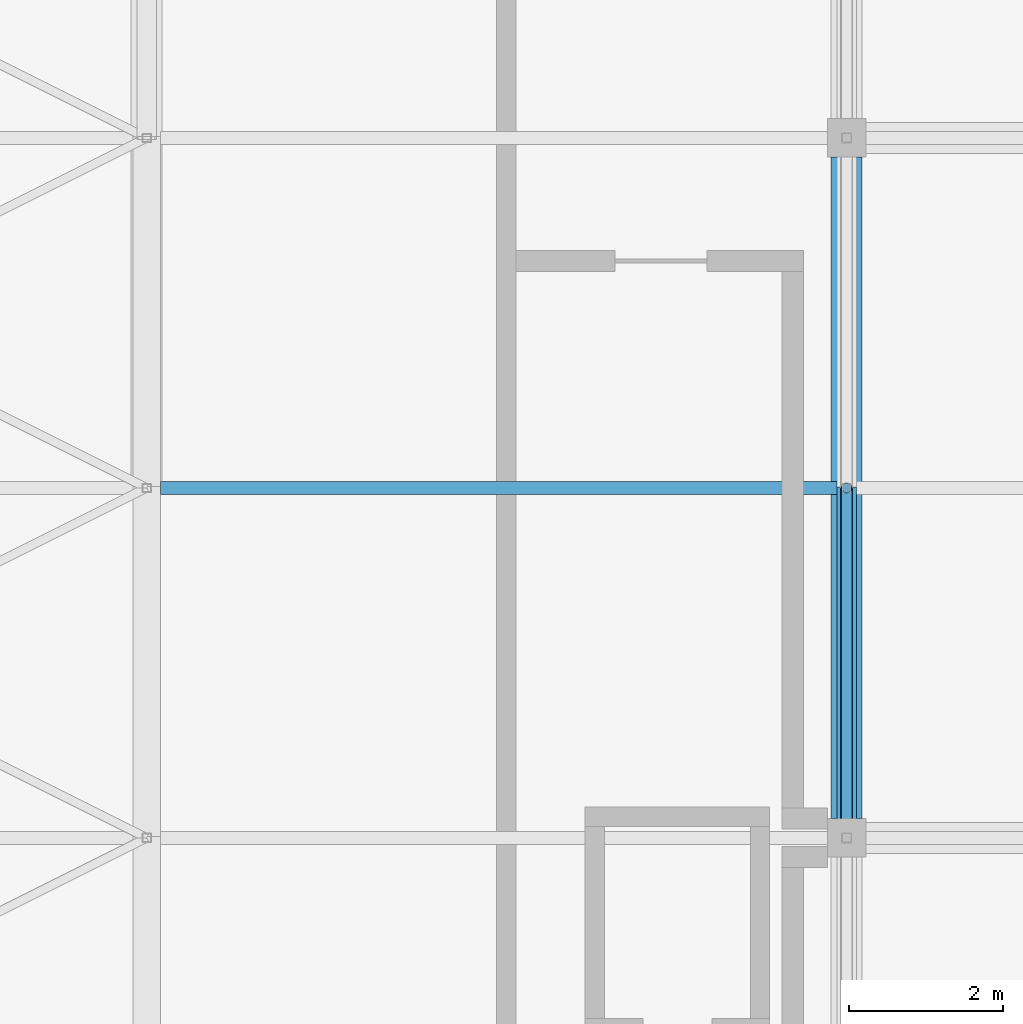
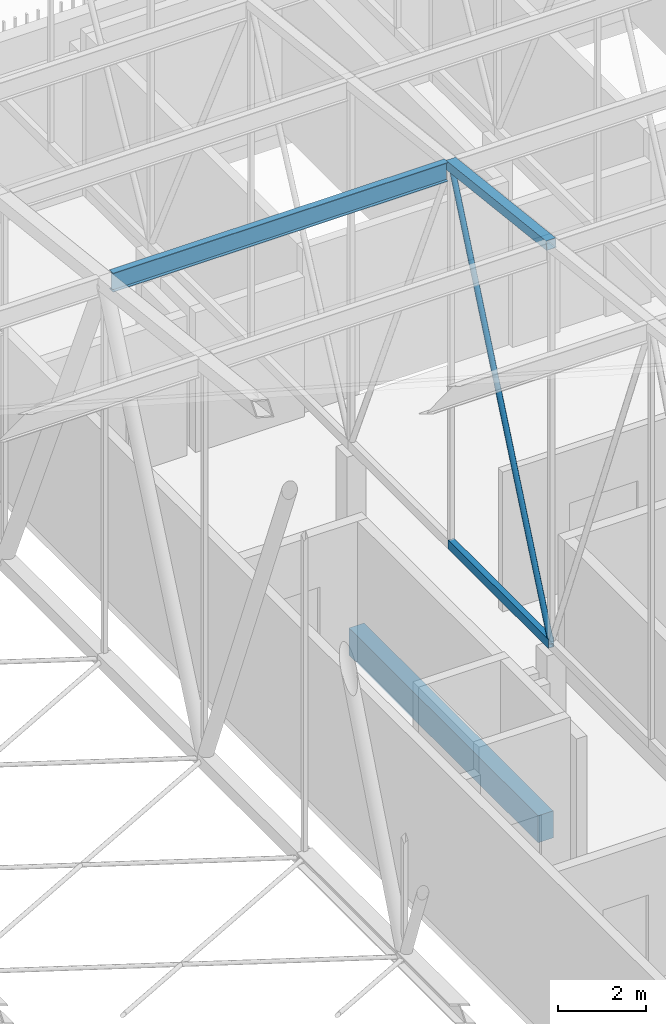
# One storey, part 290 of 500: 4 members, 1 beam.
"""IFC4 building model written with IfcOpenShell, lengths in metres."""

from ifc_helpers import new_model, si_unit, direction, frame, origin, origin_2d, place, context, subcontext, project, spatial, rectangle, hollow_rectangle, hollow_circle, i_section, extrude, material, material_profile, profile_set, type_object, element, save


model = new_model("IFC4")

# Units and contexts
model_context = context("Model", 3, precision=1e-05, world=origin(), true_north=direction((0.0, 1.0)))
body_context = subcontext(model_context, "Body", "Model", "MODEL_VIEW")
ifc_project = project(units=[si_unit("LENGTHUNIT", "METRE"), si_unit("AREAUNIT", "SQUARE_METRE"), si_unit("VOLUMEUNIT", "CUBIC_METRE"), si_unit("PLANEANGLEUNIT", "RADIAN"), si_unit("MASSUNIT", "GRAM", prefix="KILO")], contexts=[model_context])

# Site, building, storey
site_placement = place(None, origin())
site = spatial("IfcSite", under=ifc_project, at=site_placement, CompositionType="ELEMENT")
building_placement = place(site_placement, origin())
building = spatial("IfcBuilding", under=site, at=building_placement, Name="Shirokan Park Arena", CompositionType="ELEMENT")
storey_placement = place(building_placement, frame((0.0, 0.0, 29.1201171875)))
storey = spatial("IfcBuildingStorey", under=building, at=storey_placement, Name="L06", CompositionType="ELEMENT", Elevation=29.1201171875)

# Members
ifc_material_1 = material(Name="Steel ASTM A500 Grade C", Category="steel")
ifc_material_profile_1 = material_profile(ifc_material_1, hollow_rectangle(XDim=0.152099609375, YDim=0.25390625, WallThickness=0.009521484375, at=origin_2d()), Name="HSS254X152.4X9.5")
ifc_profile_set_1 = profile_set([ifc_material_profile_1], Name="Steel ASTM A500 Grade C")
member_type_1 = type_object("IfcMemberType", Name="Bottom chord HSS254X152.4X9.5", PredefinedType="CHORD", material=ifc_profile_set_1)
member_1_placement = place(storey_placement, frame((109.199951171875, 81.89990234375, 4.677001953125), z_axis=(0.0, 1.0, 0.0), x_axis=(-1.0, 0.0, 0.0)))
element("IfcMember", 1, at=member_1_placement, inside=storey, type_object=member_type_1, Name="Truss T13 bottom chord 21", PredefinedType="CHORD", context=body_context, shape_type="SweptSolid", body=[
    extrude(hollow_rectangle(XDim=0.152099609375, YDim=0.25390625, WallThickness=0.009521484375, at=origin_2d()), origin(), (0.0, 0.0, 1.0), 4.550048828125),
])
ifc_material_2 = material(Name="Steel ASTM A992", Category="steel")
ifc_material_profile_2 = material_profile(ifc_material_2, i_section(OverallWidth=0.166015625, OverallDepth=0.528076171875, WebThickness=0.009765625, FlangeThickness=0.013671875, at=origin_2d()), Name="W530X74")
ifc_profile_set_2 = profile_set([ifc_material_profile_2], Name="Steel ASTM A992")
member_type_2 = type_object("IfcMemberType", Name="Purlin W530X74", PredefinedType="PURLIN", material=ifc_profile_set_2)
member_2_placement = place(storey_placement, frame((100.278076171875, 86.449951171875, 15.0859375), z_axis=(1.0, 0.0, 0.0), x_axis=(0.0, 1.0, 0.0)))
element("IfcMember", 2, at=member_2_placement, inside=storey, type_object=member_type_2, Name="Purlin 22 bay 12", PredefinedType="PURLIN", context=body_context, shape_type="SweptSolid", body=[
    extrude(i_section(OverallWidth=0.166015625, OverallDepth=0.528076171875, WebThickness=0.009765625, FlangeThickness=0.013671875, at=origin_2d()), origin(), (0.0, 0.0, 1.0), 8.794921875),
])

# Beam
ifc_material_3 = material(Name="Concrete C35", Category="concrete")
ifc_material_profile_3 = material_profile(ifc_material_3, rectangle(XDim=0.39990234375, YDim=0.75, at=origin_2d()), Name="400x750")
ifc_profile_set_3 = profile_set([ifc_material_profile_3], Name="Concrete C35")
beam_type = type_object("IfcBeamType", Name="RC girder 400x750", PredefinedType="BEAM", material=ifc_profile_set_3)
beam_placement = place(storey_placement, frame((109.199951171875, 82.150146484375, -0.5751953125), z_axis=(0.0, 1.0, 0.0), x_axis=(-1.0, 0.0, 0.0)))
element("IfcBeam", 3, at=beam_placement, inside=storey, type_object=beam_type, Name="Girder 13K-13L L06", PredefinedType="BEAM", context=body_context, shape_type="SweptSolid", body=[
    extrude(rectangle(XDim=0.39990234375, YDim=0.75, at=origin_2d()), origin(), (0.0, 0.0, 1.0), 8.599853515625),
])

# Members
ifc_material_profile_4 = material_profile(ifc_material_1, hollow_rectangle(XDim=0.25390625, YDim=0.25390625, WallThickness=0.009521484375, at=origin_2d()), Name="HSS254X254X9.5")
ifc_profile_set_4 = profile_set([ifc_material_profile_4], Name="Steel ASTM A500 Grade C")
member_type_3 = type_object("IfcMemberType", Name="Top chord HSS254X254X9.5", PredefinedType="CHORD", material=ifc_profile_set_4)
member_3_placement = place(storey_placement, frame((109.199951171875, 81.89990234375, 15.742919921875), z_axis=(0.0, 0.993532328996, -0.113549598152), x_axis=(-1.0, 0.0, 0.0)))
element("IfcMember", 4, at=member_3_placement, inside=storey, type_object=member_type_3, Name="Truss T13 top chord 21", PredefinedType="CHORD", context=body_context, shape_type="SweptSolid", body=[
    extrude(hollow_rectangle(XDim=0.25390625, YDim=0.25390625, WallThickness=0.009521484375, at=origin_2d()), origin(), (0.0, 0.0, 1.0), 4.57958984375),
])
ifc_material_profile_5 = material_profile(ifc_material_1, hollow_circle(Radius=0.070556640625, WallThickness=0.006591796875, at=origin_2d()), Name="HSS141.3X6.6")
ifc_profile_set_5 = profile_set([ifc_material_profile_5], Name="Steel ASTM A500 Grade C")
member_type_4 = type_object("IfcMemberType", Name="Truss diagonal HSS141.3X6.6", PredefinedType="BRACE", material=ifc_profile_set_5)
member_4_placement = place(storey_placement, frame((109.199951171875, 81.89990234375, 4.677001953125), z_axis=(0.0, 0.396152605513, 0.918184683572), x_axis=(-1.0, 0.0, 0.0)))
element("IfcMember", 5, at=member_4_placement, inside=storey, type_object=member_type_4, Name="Truss T13 diagonal 21", PredefinedType="BRACE", context=body_context, shape_type="SweptSolid", body=[
    extrude(hollow_circle(Radius=0.070556640625, WallThickness=0.006591796875, at=origin_2d()), origin(), (0.0, 0.0, 1.0), 11.485595703125),
])

save(model, "model.ifc")
